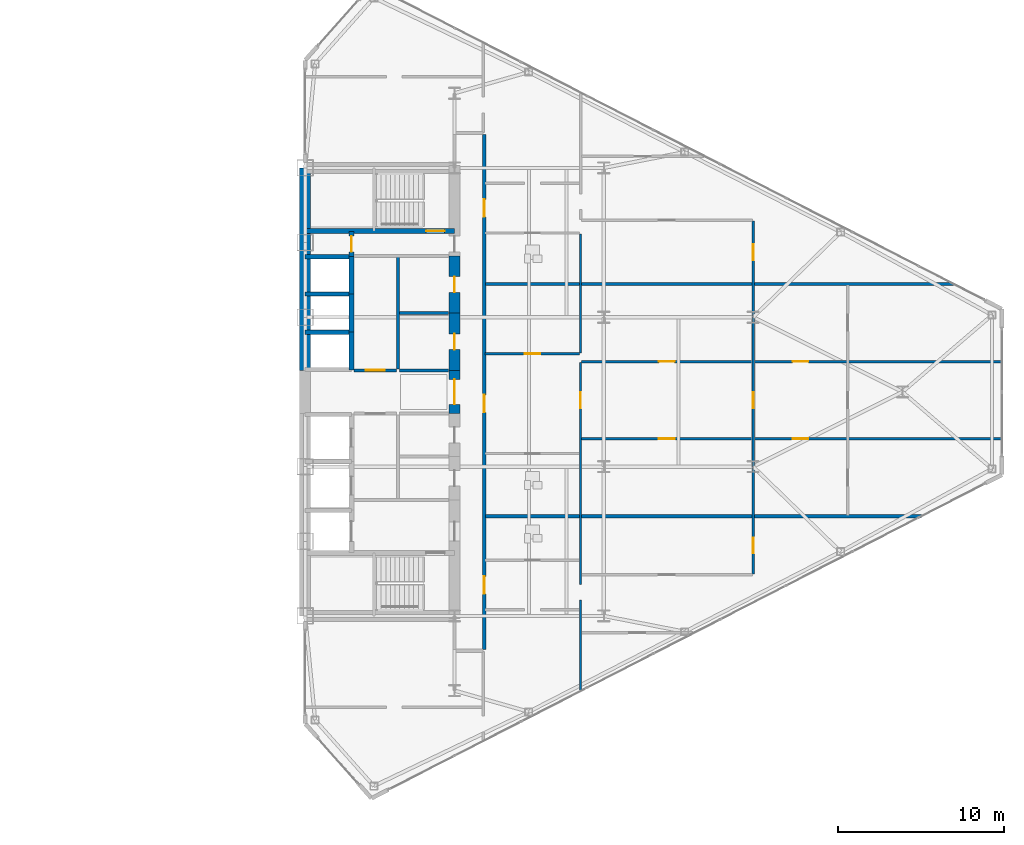
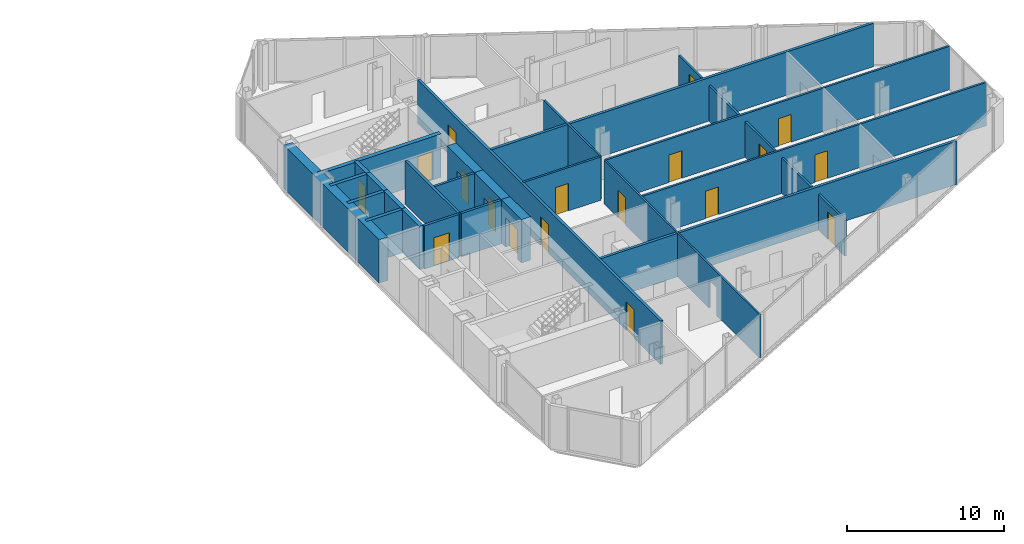
# One storey, part 20 of 24: 25 walls, 18 doors, 19 openings.
"""IFC4 building model written with IfcOpenShell, lengths in metres."""

from ifc_helpers import new_model, si_unit, direction, frame, frame_2d, origin, place, context, subcontext, project, spatial, rectangle, extrude, source, transform, mapped, material, layer, layer_set, type_object, type_shapes, element, fill, save


model = new_model("IFC4")

# Units and contexts
model_context = context("Model", 3, precision=1e-05, world=origin(), true_north=direction((0.0, 1.0)))
body_context = subcontext(model_context, "Body", "Model", "MODEL_VIEW")
ifc_project = project(units=[si_unit("LENGTHUNIT", "METRE"), si_unit("AREAUNIT", "SQUARE_METRE"), si_unit("VOLUMEUNIT", "CUBIC_METRE"), si_unit("PLANEANGLEUNIT", "RADIAN"), si_unit("MASSUNIT", "GRAM", prefix="KILO")], contexts=[model_context])

# Site, building, storey
site_placement = place(None, origin())
site = spatial("IfcSite", under=ifc_project, at=site_placement, CompositionType="ELEMENT")
building_placement = place(site_placement, origin())
building = spatial("IfcBuilding", under=site, at=building_placement, Name="Seokmaru Belvedere", CompositionType="ELEMENT")
storey_placement = place(building_placement, frame((0.0, 0.0, 114.0)))
storey = spatial("IfcBuildingStorey", under=building, at=storey_placement, Name="L30", CompositionType="ELEMENT", Elevation=114.0)

# Wall, openings, doors
ifc_material_1 = material(Name="Fire-Rated Gypsum Shaftwall")
ifc_layer_1 = layer(ifc_material_1, 0.14990234375)
ifc_layer_set_1 = layer_set([ifc_layer_1], Name="Fire-Rated Gypsum Shaftwall")
wall_type_1 = type_object("IfcWallType", Name="Apartment Fire-Acoustic Room Partition 150", PredefinedType="PARTITIONING", material=ifc_layer_set_1)
wall_1_placement = place(storey_placement, frame((44.14990234375, -2.830078125, 0.0), z_axis=(0.0, 0.0, 1.0), x_axis=(1.0, 0.0, 0.0)))
wall_1 = element("IfcWall", 1, at=wall_1_placement, inside=storey, type_object=wall_type_1, Name="L30 Interior Partition 018", PredefinedType="PARTITIONING", context=body_context, shape_type="SweptSolid", body=[
    extrude(rectangle(XDim=25.385009765625, YDim=0.14990234375, at=frame_2d((12.6923828125, 0.0))), origin(), (0.0, 0.0, 1.0), 3.3798828125),
])
opening_1_placement = place(wall_1_placement, frame((4.675048828125, 0.0, 0.0)))
opening_1 = element("IfcOpeningElement", 2, at=opening_1_placement, cuts=wall_1, Name="Opening D05", PredefinedType="OPENING", context=body_context, shape_type="SweptSolid", body=[
    extrude(rectangle(XDim=0.949951171875, YDim=2.14990234375, at=frame_2d((0.47509765625, 1.074951171875))), frame((0.0, 0.0849609375, 0.0), z_axis=(0.0, -1.0, 0.0), x_axis=(1.0, 0.0, 0.0)), (0.0, 0.0, 1.0), 0.169921875),
])
opening_2_placement = place(wall_1_placement, frame((12.72509765625, 0.0, 0.0)))
opening_2 = element("IfcOpeningElement", 3, at=opening_2_placement, cuts=wall_1, Name="Opening D05", PredefinedType="OPENING", context=body_context, shape_type="SweptSolid", body=[
    extrude(rectangle(XDim=0.949951171875, YDim=2.14990234375, at=frame_2d((0.47509765625, 1.074951171875))), frame((0.0, 0.0849609375, 0.0), z_axis=(0.0, -1.0, 0.0), x_axis=(1.0, 0.0, 0.0)), (0.0, 0.0, 1.0), 0.169921875),
])
ifc_material_2 = material(Name="Engineered White Oak Timber", Category="wood")
door_type_1 = type_object("IfcDoorType", Name="Apartment Interior Fire-Rated Oak Door 950x2150", OperationType="NOTDEFINED", PredefinedType="DOOR", material=ifc_material_2)
shared_shape_1 = source(origin(), body_context, "Body", "SweptSolid", [
    extrude(rectangle(XDim=0.949951171875, YDim=2.14990234375, at=frame_2d((0.47509765625, 1.074951171875))), frame((0.0, 0.02490234375, 0.0), z_axis=(0.0, -1.0, 0.0), x_axis=(1.0, 0.0, 0.0)), (0.0, 0.0, 1.0), 0.050048828125),
])
type_shapes(door_type_1, [shared_shape_1])
door_1_placement = place(opening_1_placement, origin())
door_1 = element("IfcDoor", 4, at=door_1_placement, inside=storey, type_object=door_type_1, Name="L30 Interior Door 050", OperationType="SINGLE_SWING_LEFT", OverallHeight=2.14990234375, OverallWidth=0.949951171875, PredefinedType="DOOR", context=body_context, shape_type="MappedRepresentation", body=[
    mapped(shared_shape_1, transform((0.0, 0.0, 0.0), scale=1.0)),
])
fill(opening_1, door_1)
door_2_placement = place(opening_2_placement, origin())
door_2 = element("IfcDoor", 5, at=door_2_placement, inside=storey, type_object=door_type_1, Name="L30 Interior Door 052", OperationType="SINGLE_SWING_RIGHT", OverallHeight=2.14990234375, OverallWidth=0.949951171875, PredefinedType="DOOR", context=body_context, shape_type="MappedRepresentation", body=[
    mapped(shared_shape_1, transform((0.0, 0.0, 0.0), scale=1.0)),
])
fill(opening_2, door_2)

wall_2_placement = place(storey_placement, frame((44.14990234375, 1.830078125, 0.0), z_axis=(0.0, 0.0, 1.0), x_axis=(1.0, 0.0, 0.0)))
wall_2 = element("IfcWall", 6, at=wall_2_placement, inside=storey, type_object=wall_type_1, Name="L30 Interior Partition 021", PredefinedType="PARTITIONING", context=body_context, shape_type="SweptSolid", body=[
    extrude(rectangle(XDim=25.385009765625, YDim=0.14990234375, at=frame_2d((12.6923828125, 0.0))), origin(), (0.0, 0.0, 1.0), 3.3798828125),
])
opening_3_placement = place(wall_2_placement, frame((4.675048828125, 0.0, 0.0)))
opening_3 = element("IfcOpeningElement", 7, at=opening_3_placement, cuts=wall_2, Name="Opening D05", PredefinedType="OPENING", context=body_context, shape_type="SweptSolid", body=[
    extrude(rectangle(XDim=0.949951171875, YDim=2.14990234375, at=frame_2d((0.47509765625, 1.074951171875))), frame((0.0, 0.0849609375, 0.0), z_axis=(0.0, -1.0, 0.0), x_axis=(1.0, 0.0, 0.0)), (0.0, 0.0, 1.0), 0.169921875),
])
opening_4_placement = place(wall_2_placement, frame((12.72509765625, 0.0, 0.0)))
opening_4 = element("IfcOpeningElement", 8, at=opening_4_placement, cuts=wall_2, Name="Opening D05", PredefinedType="OPENING", context=body_context, shape_type="SweptSolid", body=[
    extrude(rectangle(XDim=0.949951171875, YDim=2.14990234375, at=frame_2d((0.47509765625, 1.074951171875))), frame((0.0, 0.0849609375, 0.0), z_axis=(0.0, -1.0, 0.0), x_axis=(1.0, 0.0, 0.0)), (0.0, 0.0, 1.0), 0.169921875),
])
door_3_placement = place(opening_3_placement, origin())
door_3 = element("IfcDoor", 9, at=door_3_placement, inside=storey, type_object=door_type_1, Name="L30 Interior Door 051", OperationType="SINGLE_SWING_RIGHT", OverallHeight=2.14990234375, OverallWidth=0.949951171875, PredefinedType="DOOR", context=body_context, shape_type="MappedRepresentation", body=[
    mapped(shared_shape_1, transform((0.0, 0.0, 0.0), scale=1.0)),
])
fill(opening_3, door_3)
door_4_placement = place(opening_4_placement, origin())
door_4 = element("IfcDoor", 10, at=door_4_placement, inside=storey, type_object=door_type_1, Name="L30 Interior Door 055", OperationType="SINGLE_SWING_RIGHT", OverallHeight=2.14990234375, OverallWidth=0.949951171875, PredefinedType="DOOR", context=body_context, shape_type="MappedRepresentation", body=[
    mapped(shared_shape_1, transform((0.0, 0.0, 0.0), scale=1.0)),
])
fill(opening_4, door_4)

# Wall, opening, door
wall_3_placement = place(storey_placement, frame((38.35009765625, 2.300048828125, 0.0), z_axis=(0.0, 0.0, 1.0), x_axis=(1.0, 0.0, 0.0)))
wall_3 = element("IfcWall", 11, at=wall_3_placement, inside=storey, type_object=wall_type_1, Name="L30 Interior Partition 022", PredefinedType="PARTITIONING", context=body_context, shape_type="SweptSolid", body=[
    extrude(rectangle(XDim=5.699951171875, YDim=0.14990234375, at=frame_2d((2.85009765625, 0.0))), origin(), (0.0, 0.0, 1.0), 3.3798828125),
])
opening_5_placement = place(wall_3_placement, frame((2.375, 0.0, 0.0)))
opening_5 = element("IfcOpeningElement", 12, at=opening_5_placement, cuts=wall_3, Name="Opening D05", PredefinedType="OPENING", context=body_context, shape_type="SweptSolid", body=[
    extrude(rectangle(XDim=0.949951171875, YDim=2.14990234375, at=frame_2d((0.47509765625, 1.074951171875))), frame((0.0, 0.0849609375, 0.0), z_axis=(0.0, -1.0, 0.0), x_axis=(1.0, 0.0, 0.0)), (0.0, 0.0, 1.0), 0.169921875),
])
door_5_placement = place(opening_5_placement, origin())
door_5 = element("IfcDoor", 13, at=door_5_placement, inside=storey, type_object=door_type_1, Name="L30 Interior Door 047", OperationType="SINGLE_SWING_RIGHT", OverallHeight=2.14990234375, OverallWidth=0.949951171875, PredefinedType="DOOR", context=body_context, shape_type="MappedRepresentation", body=[
    mapped(shared_shape_1, transform((0.0, 0.0, 0.0), scale=1.0)),
])
fill(opening_5, door_5)

# Wall, openings, doors
wall_4_placement = place(storey_placement, frame((54.5, -10.9609375, 0.0), z_axis=(0.0, 0.0, 1.0), x_axis=(0.0, 1.0, 0.0)))
wall_4 = element("IfcWall", 14, at=wall_4_placement, inside=storey, type_object=wall_type_1, Name="L30 Interior Partition 055", PredefinedType="PARTITIONING", context=body_context, shape_type="SweptSolid", body=[
    extrude(rectangle(XDim=21.255859375, YDim=0.14990234375, at=frame_2d((10.6279296875, 0.0))), origin(), (0.0, 0.0, 1.0), 2.780029296875),
])
opening_6_placement = place(wall_4_placement, frame((1.230224609375, 0.0, 0.0)))
opening_6 = element("IfcOpeningElement", 15, at=opening_6_placement, cuts=wall_4, Name="Opening D05", PredefinedType="OPENING", context=body_context, shape_type="SweptSolid", body=[
    extrude(rectangle(XDim=0.949951171875, YDim=2.14990234375, at=frame_2d((0.47509765625, 1.074951171875))), frame((0.0, 0.0849609375, 0.0), z_axis=(0.0, -1.0, 0.0), x_axis=(1.0, 0.0, 0.0)), (0.0, 0.0, 1.0), 0.169921875),
])
opening_7_placement = place(wall_4_placement, frame((9.986083984375, 0.0, 0.0)))
opening_7 = element("IfcOpeningElement", 16, at=opening_7_placement, cuts=wall_4, Name="Opening D05", PredefinedType="OPENING", context=body_context, shape_type="SweptSolid", body=[
    extrude(rectangle(XDim=0.949951171875, YDim=2.14990234375, at=frame_2d((0.47509765625, 1.074951171875))), frame((0.0, 0.0849609375, 0.0), z_axis=(0.0, -1.0, 0.0), x_axis=(1.0, 0.0, 0.0)), (0.0, 0.0, 1.0), 0.169921875),
])
opening_8_placement = place(wall_4_placement, frame((18.908447265625, 0.0, 0.0)))
opening_8 = element("IfcOpeningElement", 17, at=opening_8_placement, cuts=wall_4, Name="Opening D05", PredefinedType="OPENING", context=body_context, shape_type="SweptSolid", body=[
    extrude(rectangle(XDim=0.949951171875, YDim=2.14990234375, at=frame_2d((0.47509765625, 1.074951171875))), frame((0.0, 0.0849609375, 0.0), z_axis=(0.0, -1.0, 0.0), x_axis=(1.0, 0.0, 0.0)), (0.0, 0.0, 1.0), 0.169921875),
])
door_6_placement = place(opening_6_placement, origin())
door_6 = element("IfcDoor", 18, at=door_6_placement, inside=storey, type_object=door_type_1, Name="L30 Interior Door 044", OperationType="SINGLE_SWING_RIGHT", OverallHeight=2.14990234375, OverallWidth=0.949951171875, PredefinedType="DOOR", context=body_context, shape_type="MappedRepresentation", body=[
    mapped(shared_shape_1, transform((0.0, 0.0, 0.0), scale=1.0)),
])
fill(opening_6, door_6)
door_7_placement = place(opening_7_placement, origin())
door_7 = element("IfcDoor", 19, at=door_7_placement, inside=storey, type_object=door_type_1, Name="L30 Interior Door 049", OperationType="SINGLE_SWING_RIGHT", OverallHeight=2.14990234375, OverallWidth=0.949951171875, PredefinedType="DOOR", context=body_context, shape_type="MappedRepresentation", body=[
    mapped(shared_shape_1, transform((0.0, 0.0, 0.0), scale=1.0)),
])
fill(opening_7, door_7)
door_8_placement = place(opening_8_placement, origin())
door_8 = element("IfcDoor", 20, at=door_8_placement, inside=storey, type_object=door_type_1, Name="L30 Interior Door 065", OperationType="SINGLE_SWING_LEFT", OverallHeight=2.14990234375, OverallWidth=0.949951171875, PredefinedType="DOOR", context=body_context, shape_type="MappedRepresentation", body=[
    mapped(shared_shape_1, transform((0.0, 0.0, 0.0), scale=1.0)),
])
fill(opening_8, door_8)

# Wall
ifc_layer_2 = layer(ifc_material_1, 0.179931640625)
ifc_layer_set_2 = layer_set([ifc_layer_2], Name="Fire-Rated Gypsum Shaftwall")
wall_type_2 = type_object("IfcWallType", Name="Core Service Fire Partition 180", PredefinedType="PARTITIONING", material=ifc_layer_set_2)
wall_5_placement = place(storey_placement, frame((33.10009765625, 1.3798828125, 0.0), z_axis=(0.0, 0.0, 1.0), x_axis=(0.0, 1.0, 0.0)))
element("IfcWall", 21, at=wall_5_placement, inside=storey, type_object=wall_type_2, Name="L30 East North Core Service Back Wall", PredefinedType="PARTITIONING", context=body_context, shape_type="SweptSolid", body=[
    extrude(rectangle(XDim=6.740234375, YDim=0.179931640625, at=frame_2d((3.3701171875, 0.0))), origin(), (0.0, 0.0, 1.0), 3.3798828125),
])

# Wall, opening, door
wall_6_placement = place(storey_placement, frame((30.449951171875, 1.300048828125, 0.0), z_axis=(0.0, 0.0, 1.0), x_axis=(1.0, 0.0, 0.0)))
wall_6 = element("IfcWall", 22, at=wall_6_placement, inside=storey, type_object=wall_type_2, Name="L30 East North Lift Lobby Foyer Wall", PredefinedType="PARTITIONING", context=body_context, shape_type="SweptSolid", body=[
    extrude(rectangle(XDim=2.570068359375, YDim=0.179931640625, at=frame_2d((1.28515625, 0.0))), origin(), (0.0, 0.0, 1.0), 3.3798828125),
])
opening_9_placement = place(wall_6_placement, frame((0.7099609375, 0.0, 0.0)))
opening_9 = element("IfcOpeningElement", 23, at=opening_9_placement, cuts=wall_6, Name="Opening D02", PredefinedType="OPENING", context=body_context, shape_type="SweptSolid", body=[
    extrude(rectangle(XDim=1.14990234375, YDim=2.199951171875, at=frame_2d((0.574951171875, 1.10009765625))), frame((0.0, 0.10009765625, 0.0), z_axis=(0.0, -1.0, 0.0), x_axis=(1.0, 0.0, 0.0)), (0.0, 0.0, 1.0), 0.199951171875),
])
ifc_material_3 = material(Name="Fire-Rated Steel Leaf", Category="steel")
door_type_2 = type_object("IfcDoorType", Name="Lobby and Vestibule Fire Door 1150x2200", OperationType="NOTDEFINED", PredefinedType="DOOR", material=ifc_material_3)
shared_shape_2 = source(origin(), body_context, "Body", "SweptSolid", [
    extrude(rectangle(XDim=1.14990234375, YDim=2.199951171875, at=frame_2d((0.574951171875, 1.10009765625))), frame((0.0, 0.02490234375, 0.0), z_axis=(0.0, -1.0, 0.0), x_axis=(1.0, 0.0, 0.0)), (0.0, 0.0, 1.0), 0.050048828125),
])
type_shapes(door_type_2, [shared_shape_2])
door_9_placement = place(opening_9_placement, origin())
door_9 = element("IfcDoor", 24, at=door_9_placement, inside=storey, type_object=door_type_2, Name="L30 East North Lift Lobby Door", OperationType="SINGLE_SWING_LEFT", OverallHeight=2.199951171875, OverallWidth=1.14990234375, PredefinedType="DOOR", context=body_context, shape_type="MappedRepresentation", body=[
    mapped(shared_shape_2, transform((0.0, 0.0, 0.0), scale=1.0)),
])
fill(opening_9, door_9)

# Walls
for number, where, z_axis, x_axis, name in (
    (25, (33.199951171875, 1.300048828125, 0.0), (0.0, 0.0, 1.0), (1.0, 0.0, 0.0), "L30 East Foyer Side Wall N"),
    (26, (33.199951171875, 4.75, 0.0), (0.0, 0.0, 1.0), (1.0, 0.0, 0.0), "L30 East Core Service Partition 2"),
):
    element("IfcWall", number, at=place(storey_placement, frame(where, z_axis=z_axis, x_axis=x_axis)), inside=storey, type_object=wall_type_2, Name=name, PredefinedType="PARTITIONING", context=body_context, shape_type="SweptSolid", body=[
        extrude(rectangle(XDim=2.949951171875, YDim=0.179931640625, at=frame_2d((1.47509765625, 0.0))), origin(), (0.0, 0.0, 1.0), 3.3798828125),
    ])
ifc_material_4 = material(Name="Concrete C50 (50 MPa)", Category="concrete")
ifc_layer_3 = layer(ifc_material_4, 0.25)
ifc_layer_set_3 = layer_set([ifc_layer_3], Name="Concrete C50 (50 MPa)")
wall_type_3 = type_object("IfcWallType", Name="Hoistway Transverse Concrete Divider Wall 250", PredefinedType="SHEAR", material=ifc_layer_set_3)
for number, where, z_axis, x_axis, name in (
    (27, (27.5, 3.60009765625, 0.0), (0.0, 0.0, 1.0), (1.0, 0.0, 0.0), "L30 East Hoistway Divider Core Wall 5"),
    (28, (27.5, 5.89990234375, 0.0), (0.0, 0.0, 1.0), (1.0, 0.0, 0.0), "L30 East Hoistway Divider Core Wall 6"),
    (29, (27.5, 8.14990234375, 0.0), (0.0, 0.0, 1.0), (1.0, 0.0, 0.0), "L30 East Hoistway Divider Core Wall 7"),
):
    element("IfcWall", number, at=place(storey_placement, frame(where, z_axis=z_axis, x_axis=x_axis)), inside=storey, type_object=wall_type_3, Name=name, PredefinedType="SHEAR", context=body_context, shape_type="SweptSolid", body=[
        extrude(rectangle(XDim=2.800048828125, YDim=0.25, at=frame_2d((1.39990234375, 0.0))), origin(), (0.0, 0.0, 1.0), 3.3798828125),
    ])
ifc_layer_4 = layer(ifc_material_1, 0.199951171875)
ifc_layer_set_4 = layer_set([ifc_layer_4], Name="Fire-Rated Gypsum Shaftwall")
wall_type_4 = type_object("IfcWallType", Name="Inter-Tenancy Fire Compartment Partition 200", PredefinedType="PARTITIONING", material=ifc_layer_set_4)
wall_7_placement = place(storey_placement, frame((38.3798828125, -7.5, 0.0), z_axis=(0.0, 0.0, 1.0), x_axis=(1.0, 0.0, 0.0)))
element("IfcWall", 30, at=wall_7_placement, inside=storey, type_object=wall_type_4, Name="L30 Interior Partition 014", PredefinedType="PARTITIONING", context=body_context, shape_type="SweptSolid", body=[
    extrude(rectangle(XDim=26.259033203125, YDim=0.199951171875, at=frame_2d((13.12939453125, 0.0))), origin(), (0.0, 0.0, 1.0), 3.3798828125),
])
wall_8_placement = place(storey_placement, frame((38.3798828125, 6.5, 0.0), z_axis=(0.0, 0.0, 1.0), x_axis=(1.0, 0.0, 0.0)))
element("IfcWall", 31, at=wall_8_placement, inside=storey, type_object=wall_type_4, Name="L30 Interior Partition 024", PredefinedType="PARTITIONING", context=body_context, shape_type="SweptSolid", body=[
    extrude(rectangle(XDim=28.2080078125, YDim=0.199951171875, at=frame_2d((14.10400390625, 0.0))), origin(), (0.0, 0.0, 1.0), 3.3798828125),
])

# Wall, openings, doors
wall_9_placement = place(storey_placement, frame((38.300048828125, -15.514892578125, 0.0), z_axis=(0.0, 0.0, 1.0), x_axis=(0.0, 1.0, 0.0)))
wall_9 = element("IfcWall", 32, at=wall_9_placement, inside=storey, type_object=wall_type_4, Name="L30 Interior Partition 051", PredefinedType="PARTITIONING", context=body_context, shape_type="SweptSolid", body=[
    extrude(rectangle(XDim=31.02978515625, YDim=0.199951171875, at=frame_2d((15.514892578125, 0.0))), origin(), (0.0, 0.0, 1.0), 3.3798828125),
])
opening_10_placement = place(wall_9_placement, frame((3.344970703125, 0.0, 0.0)))
opening_10 = element("IfcOpeningElement", 33, at=opening_10_placement, cuts=wall_9, Name="Opening D03", PredefinedType="OPENING", context=body_context, shape_type="SweptSolid", body=[
    extrude(rectangle(XDim=1.050048828125, YDim=2.25, at=frame_2d((0.52490234375, 1.125))), frame((0.0, 0.10986328125, 0.0), z_axis=(0.0, -1.0, 0.0), x_axis=(1.0, 0.0, 0.0)), (0.0, 0.0, 1.0), 0.219970703125),
])
opening_11_placement = place(wall_9_placement, frame((14.280029296875, 0.0, 0.0)))
opening_11 = element("IfcOpeningElement", 34, at=opening_11_placement, cuts=wall_9, Name="Opening D03", PredefinedType="OPENING", context=body_context, shape_type="SweptSolid", body=[
    extrude(rectangle(XDim=1.050048828125, YDim=2.25, at=frame_2d((0.52490234375, 1.125))), frame((0.0, 0.10986328125, 0.0), z_axis=(0.0, -1.0, 0.0), x_axis=(1.0, 0.0, 0.0)), (0.0, 0.0, 1.0), 0.219970703125),
])
opening_12_placement = place(wall_9_placement, frame((26.0673828125, 0.0, 0.0)))
opening_12 = element("IfcOpeningElement", 35, at=opening_12_placement, cuts=wall_9, Name="Opening D03", PredefinedType="OPENING", context=body_context, shape_type="SweptSolid", body=[
    extrude(rectangle(XDim=1.050048828125, YDim=2.25, at=frame_2d((0.52490234375, 1.125))), frame((0.0, 0.10986328125, 0.0), z_axis=(0.0, -1.0, 0.0), x_axis=(1.0, 0.0, 0.0)), (0.0, 0.0, 1.0), 0.219970703125),
])
door_type_3 = type_object("IfcDoorType", Name="Apartment Entrance Fire Door 1050x2250", OperationType="NOTDEFINED", PredefinedType="DOOR", material=ifc_material_3)
shared_shape_3 = source(origin(), body_context, "Body", "SweptSolid", [
    extrude(rectangle(XDim=1.050048828125, YDim=2.25, at=frame_2d((0.52490234375, 1.125))), frame((0.0, 0.02490234375, 0.0), z_axis=(0.0, -1.0, 0.0), x_axis=(1.0, 0.0, 0.0)), (0.0, 0.0, 1.0), 0.050048828125),
])
type_shapes(door_type_3, [shared_shape_3])
door_10_placement = place(opening_10_placement, origin())
door_10 = element("IfcDoor", 36, at=door_10_placement, inside=storey, type_object=door_type_3, Name="L30 Interior Door 036", OperationType="SINGLE_SWING_LEFT", OverallHeight=2.25, OverallWidth=1.050048828125, PredefinedType="DOOR", context=body_context, shape_type="MappedRepresentation", body=[
    mapped(shared_shape_3, transform((0.0, 0.0, 0.0), scale=1.0)),
])
fill(opening_10, door_10)
door_11_placement = place(opening_11_placement, origin())
door_11 = element("IfcDoor", 37, at=door_11_placement, inside=storey, type_object=door_type_3, Name="L30 Interior Door 045", OperationType="SINGLE_SWING_RIGHT", OverallHeight=2.25, OverallWidth=1.050048828125, PredefinedType="DOOR", context=body_context, shape_type="MappedRepresentation", body=[
    mapped(shared_shape_3, transform((0.0, 0.0, 0.0), scale=1.0)),
])
fill(opening_11, door_11)
door_12_placement = place(opening_12_placement, origin())
door_12 = element("IfcDoor", 38, at=door_12_placement, inside=storey, type_object=door_type_3, Name="L30 Interior Door 057", OperationType="SINGLE_SWING_LEFT", OverallHeight=2.25, OverallWidth=1.050048828125, PredefinedType="DOOR", context=body_context, shape_type="MappedRepresentation", body=[
    mapped(shared_shape_3, transform((0.0, 0.0, 0.0), scale=1.0)),
])
fill(opening_12, door_12)

# Wall, opening, door
ifc_layer_5 = layer(ifc_material_4, 0.300048828125)
ifc_layer_set_5 = layer_set([ifc_layer_5], Name="Concrete C50 (50 MPa)")
wall_type_5 = type_object("IfcWallType", Name="Internal Core Stair and Hoistway Wall 300", PredefinedType="SHEAR", material=ifc_layer_set_5)
wall_10_placement = place(storey_placement, frame((27.5, 9.699951171875, 0.0), z_axis=(0.0, 0.0, 1.0), x_axis=(1.0, 0.0, 0.0)))
wall_10 = element("IfcWall", 39, at=wall_10_placement, inside=storey, type_object=wall_type_5, Name="L30 East Stair ST-2 Enclosure Wall", PredefinedType="SHEAR", context=body_context, shape_type="SweptSolid", body=[
    extrude(rectangle(XDim=9.0, YDim=0.300048828125, at=frame_2d((4.5, 0.0))), origin(), (0.0, 0.0, 1.0), 3.3798828125),
])
opening_13_placement = place(wall_10_placement, frame((7.300048828125, 0.0, 0.0)))
opening_13 = element("IfcOpeningElement", 40, at=opening_13_placement, cuts=wall_10, Name="Opening D01", PredefinedType="OPENING", context=body_context, shape_type="SweptSolid", body=[
    extrude(rectangle(XDim=1.10009765625, YDim=2.199951171875, at=frame_2d((0.550048828125, 1.10009765625))), frame((0.0, 0.16015625, 0.0), z_axis=(0.0, -1.0, 0.0), x_axis=(1.0, 0.0, 0.0)), (0.0, 0.0, 1.0), 0.320068359375),
])
door_type_4 = type_object("IfcDoorType", Name="Special Escape Stair Smokeproof Fire Door 1100x2200", OperationType="NOTDEFINED", PredefinedType="DOOR", material=ifc_material_3)
shared_shape_4 = source(origin(), body_context, "Body", "SweptSolid", [
    extrude(rectangle(XDim=1.10009765625, YDim=2.199951171875, at=frame_2d((0.550048828125, 1.10009765625))), frame((0.0, 0.02490234375, 0.0), z_axis=(0.0, -1.0, 0.0), x_axis=(1.0, 0.0, 0.0)), (0.0, 0.0, 1.0), 0.050048828125),
])
type_shapes(door_type_4, [shared_shape_4])
door_13_placement = place(opening_13_placement, origin())
door_13 = element("IfcDoor", 41, at=door_13_placement, inside=storey, type_object=door_type_4, Name="L30 East Special Escape Stair ST-2 Door", OperationType="SINGLE_SWING_LEFT", OverallHeight=2.199951171875, OverallWidth=1.10009765625, PredefinedType="DOOR", context=body_context, shape_type="MappedRepresentation", body=[
    mapped(shared_shape_4, transform((0.0, 0.0, 0.0), scale=1.0)),
])
fill(opening_13, door_13)

# Walls
wall_11_placement = place(storey_placement, frame((30.300048828125, 1.320068359375, 0.0), z_axis=(0.0, 0.0, 1.0), x_axis=(0.0, 1.0, 0.0)))
element("IfcWall", 42, at=wall_11_placement, inside=storey, type_object=wall_type_5, Name="L30 East North Hoistway Wall PH1", PredefinedType="SHEAR", context=body_context, shape_type="SweptSolid", body=[
    extrude(rectangle(XDim=2.280029296875, YDim=0.300048828125, at=frame_2d((1.14013671875, 0.0))), origin(), (0.0, 0.0, 1.0), 3.3798828125),
])
wall_12_placement = place(storey_placement, frame((30.300048828125, 3.60009765625, 0.0), z_axis=(0.0, 0.0, 1.0), x_axis=(0.0, 1.0, 0.0)))
element("IfcWall", 43, at=wall_12_placement, inside=storey, type_object=wall_type_5, Name="L30 East North Hoistway Wall PH2", PredefinedType="SHEAR", context=body_context, shape_type="SweptSolid", body=[
    extrude(rectangle(XDim=2.2998046875, YDim=0.300048828125, at=frame_2d((1.14990234375, 0.0))), origin(), (0.0, 0.0, 1.0), 3.3798828125),
])
wall_13_placement = place(storey_placement, frame((30.300048828125, 5.89990234375, 0.0), z_axis=(0.0, 0.0, 1.0), x_axis=(0.0, 1.0, 0.0)))
element("IfcWall", 44, at=wall_13_placement, inside=storey, type_object=wall_type_5, Name="L30 East North Hoistway Wall OBS", PredefinedType="SHEAR", context=body_context, shape_type="SweptSolid", body=[
    extrude(rectangle(XDim=2.25, YDim=0.300048828125, at=frame_2d((1.125, 0.0))), origin(), (0.0, 0.0, 1.0), 3.3798828125),
])

# Wall, opening, door
wall_14_placement = place(storey_placement, frame((30.300048828125, 8.14990234375, 0.0), z_axis=(0.0, 0.0, 1.0), x_axis=(0.0, 1.0, 0.0)))
wall_14 = element("IfcWall", 45, at=wall_14_placement, inside=storey, type_object=wall_type_5, Name="L30 East Electrical Riser Front Wall", PredefinedType="SHEAR", context=body_context, shape_type="SweptSolid", body=[
    extrude(rectangle(XDim=1.530029296875, YDim=0.300048828125, at=frame_2d((0.76513671875, 0.0))), origin(), (0.0, 0.0, 1.0), 3.3798828125),
])
opening_14_placement = place(wall_14_placement, frame((0.284912109375, 0.0, 0.0)))
opening_14 = element("IfcOpeningElement", 46, at=opening_14_placement, cuts=wall_14, Name="Opening D04", PredefinedType="OPENING", context=body_context, shape_type="SweptSolid", body=[
    extrude(rectangle(XDim=0.949951171875, YDim=2.14990234375, at=frame_2d((0.47509765625, 1.074951171875))), frame((0.0, 0.16015625, 0.0), z_axis=(0.0, -1.0, 0.0), x_axis=(1.0, 0.0, 0.0)), (0.0, 0.0, 1.0), 0.320068359375),
])
door_type_5 = type_object("IfcDoorType", Name="Core Service Room Fire Door 950x2150", OperationType="NOTDEFINED", PredefinedType="DOOR", material=ifc_material_3)
shared_shape_5 = source(origin(), body_context, "Body", "SweptSolid", [
    extrude(rectangle(XDim=0.949951171875, YDim=2.14990234375, at=frame_2d((0.47509765625, 1.074951171875))), frame((0.0, 0.02490234375, 0.0), z_axis=(0.0, -1.0, 0.0), x_axis=(1.0, 0.0, 0.0)), (0.0, 0.0, 1.0), 0.050048828125),
])
type_shapes(door_type_5, [shared_shape_5])
door_14_placement = place(opening_14_placement, origin())
door_14 = element("IfcDoor", 47, at=door_14_placement, inside=storey, type_object=door_type_5, Name="L30 East Electrical Riser Access Door", OperationType="SINGLE_SWING_RIGHT", OverallHeight=2.14990234375, OverallWidth=0.949951171875, PredefinedType="DOOR", context=body_context, shape_type="MappedRepresentation", body=[
    mapped(shared_shape_5, transform((0.0, 0.0, 0.0), scale=1.0)),
])
fill(opening_14, door_14)

# Wall
ifc_material_5 = material(Name="Concrete C60 (60 MPa)", Category="concrete")
ifc_layer_6 = layer(ifc_material_5, 0.64990234375)
ifc_layer_set_6 = layer_set([ifc_layer_6], Name="Concrete C60 (60 MPa)")
wall_type_6 = type_object("IfcWallType", Name="Mid-Low Reinforced Concrete Core Wall 650", PredefinedType="SHEAR", material=ifc_layer_set_6)
wall_15_placement = place(storey_placement, frame((27.5, 1.300048828125, 0.0), z_axis=(0.0, 0.0, 1.0), x_axis=(0.0, 1.0, 0.0)))
element("IfcWall", 48, at=wall_15_placement, inside=storey, type_object=wall_type_6, Name="L30 East Portal Spine Core Wall North", PredefinedType="SHEAR", context=body_context, shape_type="SweptSolid", body=[
    extrude(rectangle(XDim=12.199951171875, YDim=0.64990234375, at=frame_2d((6.10009765625, 0.0))), origin(), (0.0, 0.0, 1.0), 3.3798828125),
])

# Wall, opening, door
wall_16_placement = place(storey_placement, frame((36.5, -1.300048828125, 0.0), z_axis=(0.0, 0.0, 1.0), x_axis=(0.0, 1.0, 0.0)))
wall_16 = element("IfcWall", 49, at=wall_16_placement, inside=storey, type_object=wall_type_6, Name="L30 East West Core Wall FOY", PredefinedType="SHEAR", context=body_context, shape_type="SweptSolid", body=[
    extrude(rectangle(XDim=2.60009765625, YDim=0.64990234375, at=frame_2d((1.300048828125, 0.0))), origin(), (0.0, 0.0, 1.0), 3.3798828125),
])
opening_15_placement = place(wall_16_placement, frame((0.550048828125, 0.0, 0.0)))
opening_15 = element("IfcOpeningElement", 50, at=opening_15_placement, cuts=wall_16, Name="Opening D08", PredefinedType="OPENING", context=body_context, shape_type="SweptSolid", body=[
    extrude(rectangle(XDim=1.5, YDim=2.300048828125, at=frame_2d((0.75, 1.14990234375))), frame((0.0, 0.3349609375, 0.0), z_axis=(0.0, -1.0, 0.0), x_axis=(1.0, 0.0, 0.0)), (0.0, 0.0, 1.0), 0.669921875),
])
door_type_6 = type_object("IfcDoorType", Name="Cross-Corridor Compartment Double Fire Door 1500x2300", OperationType="DOUBLE_SWING_LEFT", PredefinedType="DOOR", material=ifc_material_3)
shared_shape_6 = source(origin(), body_context, "Body", "SweptSolid", [
    extrude(rectangle(XDim=1.5, YDim=2.300048828125, at=frame_2d((0.75, 1.14990234375))), frame((0.0, 0.02490234375, 0.0), z_axis=(0.0, -1.0, 0.0), x_axis=(1.0, 0.0, 0.0)), (0.0, 0.0, 1.0), 0.050048828125),
])
type_shapes(door_type_6, [shared_shape_6])
door_15_placement = place(opening_15_placement, origin())
door_15 = element("IfcDoor", 51, at=door_15_placement, inside=storey, type_object=door_type_6, Name="L30 East Core Foyer Compartment Door", OperationType="DOUBLE_SWING_LEFT", OverallHeight=2.300048828125, OverallWidth=1.5, PredefinedType="DOOR", context=body_context, shape_type="MappedRepresentation", body=[
    mapped(shared_shape_6, transform((0.0, 0.0, 0.0), scale=1.0)),
])
fill(opening_15, door_15)

wall_17_placement = place(storey_placement, frame((36.5, 1.300048828125, 0.0), z_axis=(0.0, 0.0, 1.0), x_axis=(0.0, 1.0, 0.0)))
wall_17 = element("IfcWall", 52, at=wall_17_placement, inside=storey, type_object=wall_type_6, Name="L30 East West Core Wall CS3", PredefinedType="SHEAR", context=body_context, shape_type="SweptSolid", body=[
    extrude(rectangle(XDim=3.449951171875, YDim=0.64990234375, at=frame_2d((1.72509765625, 0.0))), origin(), (0.0, 0.0, 1.0), 3.3798828125),
])
opening_16_placement = place(wall_17_placement, frame((1.25, 0.0, 0.0)))
opening_16 = element("IfcOpeningElement", 53, at=opening_16_placement, cuts=wall_17, Name="Opening D04", PredefinedType="OPENING", context=body_context, shape_type="SweptSolid", body=[
    extrude(rectangle(XDim=0.949951171875, YDim=2.14990234375, at=frame_2d((0.47509765625, 1.074951171875))), frame((0.0, 0.3349609375, 0.0), z_axis=(0.0, -1.0, 0.0), x_axis=(1.0, 0.0, 0.0)), (0.0, 0.0, 1.0), 0.669921875),
])
door_16_placement = place(opening_16_placement, origin())
door_16 = element("IfcDoor", 54, at=door_16_placement, inside=storey, type_object=door_type_5, Name="L30 East Core Service Room Door 3", OperationType="SINGLE_SWING_RIGHT", OverallHeight=2.14990234375, OverallWidth=0.949951171875, PredefinedType="DOOR", context=body_context, shape_type="MappedRepresentation", body=[
    mapped(shared_shape_5, transform((0.0, 0.0, 0.0), scale=1.0)),
])
fill(opening_16, door_16)

wall_18_placement = place(storey_placement, frame((36.5, 4.75, 0.0), z_axis=(0.0, 0.0, 1.0), x_axis=(0.0, 1.0, 0.0)))
wall_18 = element("IfcWall", 55, at=wall_18_placement, inside=storey, type_object=wall_type_6, Name="L30 East West Core Wall CS4", PredefinedType="SHEAR", context=body_context, shape_type="SweptSolid", body=[
    extrude(rectangle(XDim=3.449951171875, YDim=0.64990234375, at=frame_2d((1.72509765625, 0.0))), origin(), (0.0, 0.0, 1.0), 3.3798828125),
])
opening_17_placement = place(wall_18_placement, frame((1.25, 0.0, 0.0)))
opening_17 = element("IfcOpeningElement", 56, at=opening_17_placement, cuts=wall_18, Name="Opening D04", PredefinedType="OPENING", context=body_context, shape_type="SweptSolid", body=[
    extrude(rectangle(XDim=0.949951171875, YDim=2.14990234375, at=frame_2d((0.47509765625, 1.074951171875))), frame((0.0, 0.3349609375, 0.0), z_axis=(0.0, -1.0, 0.0), x_axis=(1.0, 0.0, 0.0)), (0.0, 0.0, 1.0), 0.669921875),
])
door_17_placement = place(opening_17_placement, origin())
door_17 = element("IfcDoor", 57, at=door_17_placement, inside=storey, type_object=door_type_5, Name="L30 East Core Service Room Door 4", OperationType="SINGLE_SWING_LEFT", OverallHeight=2.14990234375, OverallWidth=0.949951171875, PredefinedType="DOOR", context=body_context, shape_type="MappedRepresentation", body=[
    mapped(shared_shape_5, transform((0.0, 0.0, 0.0), scale=1.0)),
])
fill(opening_17, door_17)

# Wall, openings, door
ifc_layer_7 = layer(ifc_material_1, 0.1298828125)
ifc_layer_set_7 = layer_set([ifc_layer_7], Name="Fire-Rated Gypsum Shaftwall")
wall_type_7 = type_object("IfcWallType", Name="Moisture-Resistant Fire-Rated Bathroom Partition 130", PredefinedType="PARTITIONING", material=ifc_layer_set_7)
wall_19_placement = place(storey_placement, frame((44.10009765625, -18.069091796875, 0.0), z_axis=(0.0, 0.0, 1.0), x_axis=(0.0, 1.0, 0.0)))
wall_19 = element("IfcWall", 58, at=wall_19_placement, inside=storey, type_object=wall_type_7, Name="L30 Interior Partition 052", PredefinedType="PARTITIONING", context=body_context, shape_type="SweptSolid", body=[
    extrude(rectangle(XDim=19.85205078125, YDim=0.1298828125, at=frame_2d((9.926025390625, 0.0))), origin(), (0.0, 0.0, 1.0), 3.3798828125),
])
opening_18_placement = place(wall_19_placement, frame((5.515869140625, 0.0, 0.0)))
element("IfcOpeningElement", 59, at=opening_18_placement, cuts=wall_19, Name="L30 Cased Opening 039", PredefinedType="OPENING", context=body_context, shape_type="SweptSolid", body=[
    extrude(rectangle(XDim=0.949951171875, YDim=2.14990234375, at=frame_2d((0.47509765625, 1.074951171875))), frame((0.0, 0.074951171875, 0.0), z_axis=(0.0, -1.0, 0.0), x_axis=(1.0, 0.0, 0.0)), (0.0, 0.0, 1.0), 0.14990234375),
])
opening_19_placement = place(wall_19_placement, frame((17.093994140625, 0.0, 0.0)))
opening_19 = element("IfcOpeningElement", 60, at=opening_19_placement, cuts=wall_19, Name="Opening D05", PredefinedType="OPENING", context=body_context, shape_type="SweptSolid", body=[
    extrude(rectangle(XDim=0.949951171875, YDim=2.14990234375, at=frame_2d((0.47509765625, 1.074951171875))), frame((0.0, 0.074951171875, 0.0), z_axis=(0.0, -1.0, 0.0), x_axis=(1.0, 0.0, 0.0)), (0.0, 0.0, 1.0), 0.14990234375),
])
door_18_placement = place(opening_19_placement, origin())
door_18 = element("IfcDoor", 61, at=door_18_placement, inside=storey, type_object=door_type_1, Name="L30 Interior Door 048", OperationType="SINGLE_SWING_LEFT", OverallHeight=2.14990234375, OverallWidth=0.949951171875, PredefinedType="DOOR", context=body_context, shape_type="MappedRepresentation", body=[
    mapped(shared_shape_1, transform((0.0, 0.0, 0.0), scale=1.0)),
])
fill(opening_19, door_18)

# Wall
wall_20_placement = place(storey_placement, frame((44.10009765625, 2.35205078125, 0.0), z_axis=(0.0, 0.0, 1.0), x_axis=(0.0, 1.0, 0.0)))
element("IfcWall", 62, at=wall_20_placement, inside=storey, type_object=wall_type_7, Name="L30 Interior Partition 053", PredefinedType="PARTITIONING", context=body_context, shape_type="SweptSolid", body=[
    extrude(rectangle(XDim=7.176025390625, YDim=0.1298828125, at=frame_2d((3.587890625, 0.0))), origin(), (0.0, 0.0, 1.0), 3.3798828125),
])

save(model, "model.ifc")
